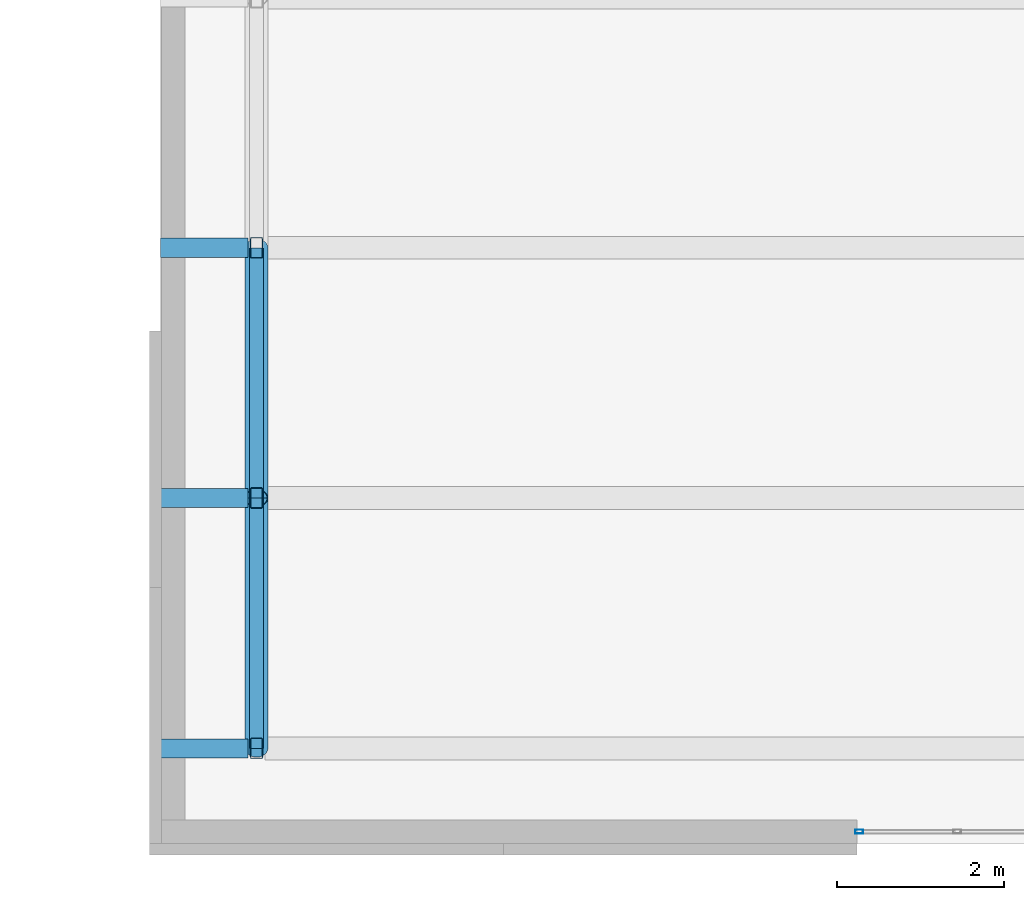
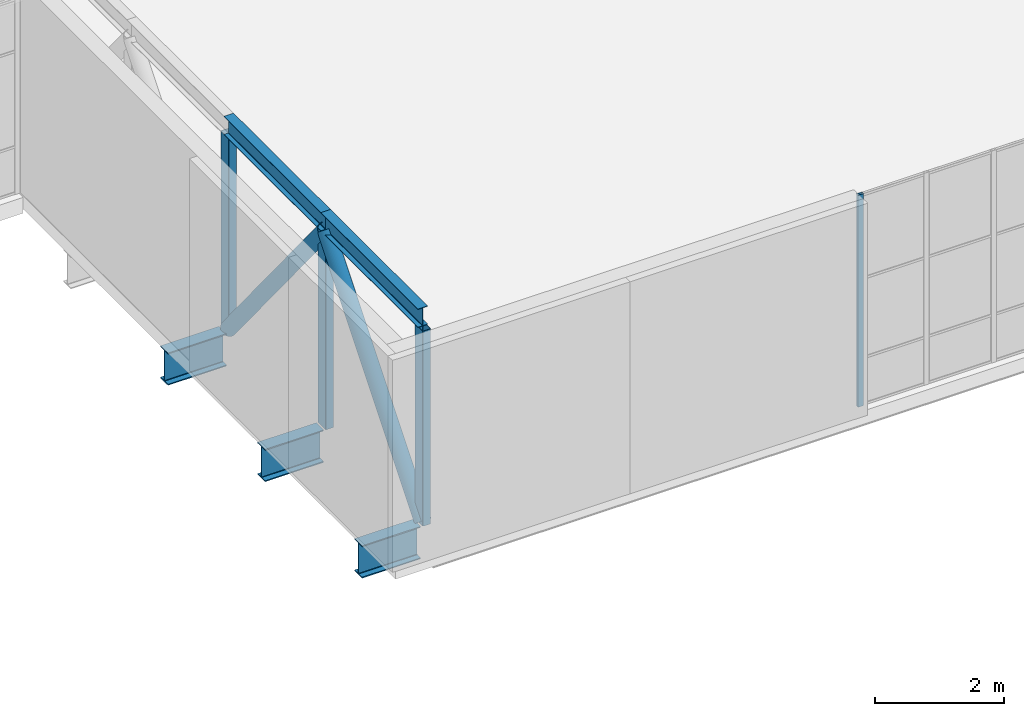
# One storey, part 9 of 72: 8 members, 3 beams, 1 element without a shape of its own.
"""IFC4 building model written with IfcOpenShell, lengths in metres."""

from ifc_helpers import new_model, si_unit, direction, frame, origin, origin_2d, place, context, subcontext, project, spatial, hollow_rectangle, hollow_circle, i_section, extrude, material, layer, layer_set, material_profile, profile_set, type_object, element, aggregate, save


model = new_model("IFC4")

# Units and contexts
model_context = context("Model", 3, precision=1e-05, world=origin(), true_north=direction((0.0, 1.0)))
body_context = subcontext(model_context, "Body", "Model", "MODEL_VIEW")
ifc_project = project(units=[si_unit("LENGTHUNIT", "METRE"), si_unit("AREAUNIT", "SQUARE_METRE"), si_unit("VOLUMEUNIT", "CUBIC_METRE"), si_unit("PLANEANGLEUNIT", "RADIAN"), si_unit("MASSUNIT", "GRAM", prefix="KILO")], contexts=[model_context])

# Site, building, storey
site_placement = place(None, origin())
site = spatial("IfcSite", under=ifc_project, at=site_placement, CompositionType="ELEMENT")
building_placement = place(site_placement, origin())
building = spatial("IfcBuilding", under=site, at=building_placement, Name="Tuart Plaza Theatre", CompositionType="ELEMENT")
storey_placement = place(building_placement, frame((0.0, 0.0, 13.5)))
storey = spatial("IfcBuildingStorey", under=building, at=storey_placement, Name="L03", CompositionType="ELEMENT", Elevation=13.5)

# Beams
ifc_material_1 = material(Name="Steel Grade 300", Category="steel")
ifc_material_profile_1 = material_profile(ifc_material_1, i_section(OverallWidth=0.22900390625, OverallDepth=0.612060546875, WebThickness=0.011962890625, FlangeThickness=0.01953125, FilletRadius=0.013916015625, at=origin_2d()), Name="610UB125")
ifc_profile_set_1 = profile_set([ifc_material_profile_1], Name="Steel Grade 300")
beam_type = type_object("IfcBeamType", Name="BEAM 610UB125", PredefinedType="BEAM", material=ifc_profile_set_1)
for number, where, z_axis, x_axis, name in (
    (1, (85.85009765625, 32.0, -0.555908203125), (1.0, 0.0, 0.0), (0.0, 1.0, 0.0), "SB100"),
    (2, (85.85009765625, 35.0, -0.555908203125), (1.0, 0.0, 0.0), (0.0, 1.0, 0.0), "SB103"),
    (3, (85.85009765625, 38.0, -0.555908203125), (1.0, 0.0, 0.0), (0.0, 1.0, 0.0), "SB106"),
):
    element("IfcBeam", number, at=place(storey_placement, frame(where, z_axis=z_axis, x_axis=x_axis)), inside=storey, type_object=beam_type, Name=name, PredefinedType="BEAM", context=body_context, shape_type="SweptSolid", body=[
        extrude(i_section(OverallWidth=0.22900390625, OverallDepth=0.612060546875, WebThickness=0.011962890625, FlangeThickness=0.01953125, FilletRadius=0.013916015625, at=origin_2d()), origin(), (0.0, 0.0, 1.0), 1.04541015625),
    ])

# Members
ifc_material_2 = material(Name="Steel Grade 300", Category="steel")
ifc_material_profile_2 = material_profile(ifc_material_2, i_section(OverallWidth=0.1708984375, OverallDepth=0.35205078125, WebThickness=0.0068359375, FlangeThickness=0.009765625, FilletRadius=0.011474609375, at=origin_2d()), Name="360UB44.7")
ifc_profile_set_2 = profile_set([ifc_material_profile_2], Name="Steel Grade 300")
member_type_1 = type_object("IfcMemberType", Name="BELT TRUSS Chord 360UB44.7", PredefinedType="CHORD", material=ifc_profile_set_2)
for number, where, z_axis, x_axis, name in (
    (4, (87.0, 32.0, 3.60009765625), (0.0, 1.0, 0.0), (-1.0, 0.0, 0.0), "CH42"),
    (5, (87.0, 35.0, 3.60009765625), (0.0, 1.0, 0.0), (-1.0, 0.0, 0.0), "CH43"),
):
    element("IfcMember", number, at=place(storey_placement, frame(where, z_axis=z_axis, x_axis=x_axis)), inside=storey, type_object=member_type_1, Name=name, PredefinedType="CHORD", context=body_context, shape_type="SweptSolid", body=[
        extrude(i_section(OverallWidth=0.1708984375, OverallDepth=0.35205078125, WebThickness=0.0068359375, FlangeThickness=0.009765625, FilletRadius=0.011474609375, at=origin_2d()), origin(), (0.0, 0.0, 1.0), 3.0),
    ])
ifc_material_3 = material(Name="Steel Grade C350L0", Category="steel")
ifc_material_profile_3 = material_profile(ifc_material_3, hollow_circle(Radius=0.136474609375, WallThickness=0.00927734375, at=origin_2d()), Name="273.1x9.3 CHS")
ifc_profile_set_3 = profile_set([ifc_material_profile_3], Name="Steel Grade C350L0")
member_type_2 = type_object("IfcMemberType", Name="BELT TRUSS Diagonal 273.1x9.3 CHS", PredefinedType="BRACE", material=ifc_profile_set_3)
for number, where, z_axis, x_axis, name in (
    (6, (87.0, 32.0, -0.25341796875), (0.0, 0.632119412197, 0.774870988438), (-1.0, 0.0, 0.0), "BR155"),
    (7, (87.0, 38.0, -0.25341796875), (0.0, -0.632119412197, 0.774870988438), (1.0, 0.0, 0.0), "BR157"),
):
    element("IfcMember", number, at=place(storey_placement, frame(where, z_axis=z_axis, x_axis=x_axis)), inside=storey, type_object=member_type_2, Name=name, PredefinedType="BRACE", context=body_context, shape_type="SweptSolid", body=[
        extrude(hollow_circle(Radius=0.136474609375, WallThickness=0.00927734375, at=origin_2d()), origin(), (0.0, 0.0, 1.0), 4.745849609375),
    ])
ifc_material_4 = material(Name="Steel Grade C350L0", Category="steel")
ifc_material_profile_4 = material_profile(ifc_material_4, hollow_rectangle(XDim=0.14990234375, YDim=0.25, WallThickness=0.009033203125, InnerFilletRadius=0.009033203125, OuterFilletRadius=0.01806640625, at=origin_2d()), Name="250x150x9 RHS")
ifc_profile_set_4 = profile_set([ifc_material_profile_4], Name="Steel Grade C350L0")
member_type_3 = type_object("IfcMemberType", Name="BELT TRUSS Post 250x150x9 RHS", PredefinedType="POST", material=ifc_profile_set_4)
for number, where, z_axis, x_axis, name in (
    (8, (87.0, 32.0, -0.25341796875), (0.0, 0.0, 1.0), (1.0, 0.0, 0.0), "PO213"),
    (9, (87.0, 35.0, -0.25341796875), (0.0, 0.0, 1.0), (1.0, 0.0, 0.0), "PO215"),
    (10, (87.0, 38.0, -0.25341796875), (0.0, 0.0, 1.0), (1.0, 0.0, 0.0), "PO217"),
):
    element("IfcMember", number, at=place(storey_placement, frame(where, z_axis=z_axis, x_axis=x_axis)), inside=storey, type_object=member_type_3, Name=name, PredefinedType="POST", context=body_context, shape_type="SweptSolid", body=[
        extrude(hollow_rectangle(XDim=0.14990234375, YDim=0.25, WallThickness=0.009033203125, InnerFilletRadius=0.009033203125, OuterFilletRadius=0.01806640625, at=origin_2d()), origin(), (0.0, 0.0, 1.0), 3.677490234375),
    ])

# Curtain wall, member
ifc_material_5 = material(Name="Aluminium and glass", Category="aluminium")
ifc_layer = layer(ifc_material_5, 0.10009765625)
ifc_layer_set = layer_set([ifc_layer], Name="CURTAIN WALL 1200 module")
curtain_wall_type = type_object("IfcCurtainWallType", Name="CURTAIN WALL 1200 module", PredefinedType="NOTDEFINED", material=ifc_layer_set)
curtain_wall_placement = place(storey_placement, origin())
curtain_wall = element("IfcCurtainWall", 11, at=curtain_wall_placement, inside=storey, type_object=curtain_wall_type, Name="CW46", PredefinedType="NOTDEFINED")
ifc_material_6 = material(Name="Aluminium 6063-T5", Category="aluminium")
ifc_material_profile_5 = material_profile(ifc_material_6, hollow_rectangle(XDim=0.050048828125, YDim=0.10009765625, WallThickness=0.00390625, InnerFilletRadius=0.00390625, OuterFilletRadius=0.008056640625, at=origin_2d()), Name="RHS 100x50x4")
ifc_profile_set_5 = profile_set([ifc_material_profile_5], Name="Aluminium 6063-T5")
member_type_4 = type_object("IfcMemberType", Name="MULLION RHS 100x50x4", PredefinedType="MULLION", material=ifc_profile_set_5)
member_placement = place(storey_placement, frame((94.22509765625, 31.0, 0.0), z_axis=(0.0, 0.0, 1.0), x_axis=(0.0, 1.0, 0.0)))
member = element("IfcMember", 12, at=member_placement, type_object=member_type_4, Name="CW46 mullion 1", PredefinedType="MULLION", context=body_context, shape_type="SweptSolid", body=[
    extrude(hollow_rectangle(XDim=0.050048828125, YDim=0.10009765625, WallThickness=0.00390625, InnerFilletRadius=0.00390625, OuterFilletRadius=0.008056640625, at=origin_2d()), origin(), (0.0, 0.0, 1.0), 4.0),
])
aggregate(curtain_wall, [member])

save(model, "model.ifc")
